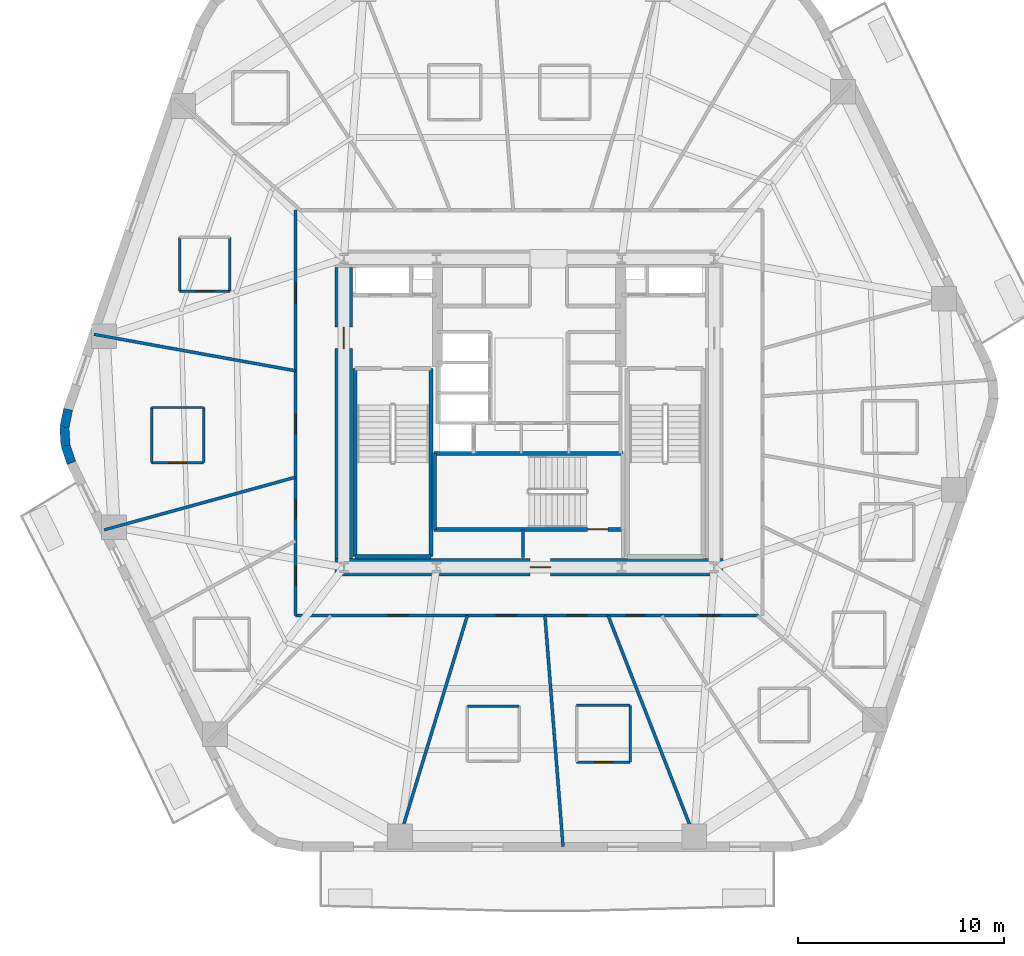
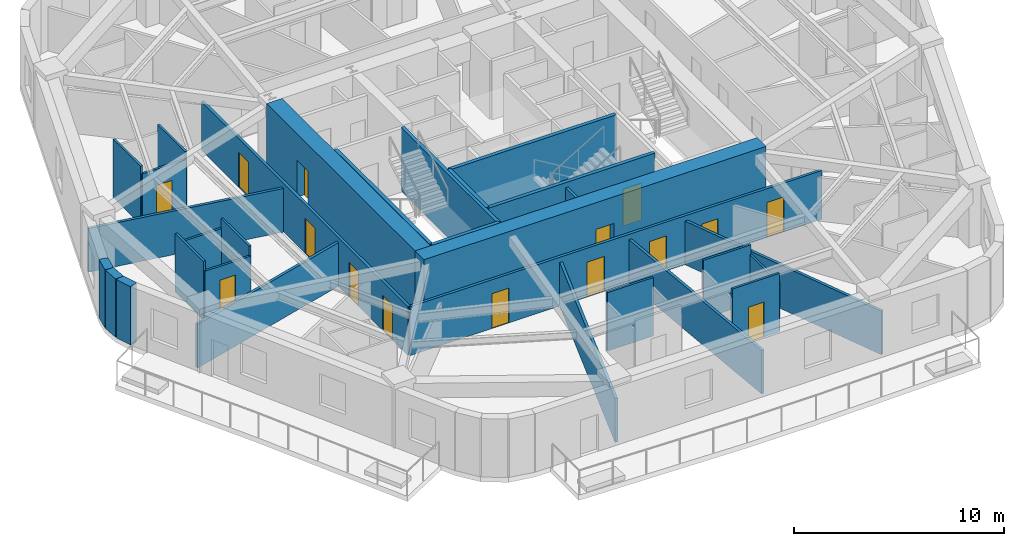
# One storey, part 3 of 10: 30 walls, 15 doors, 15 openings.
"""IFC4 building model written with IfcOpenShell, lengths in metres."""

from ifc_helpers import new_model, si_unit, direction, frame, frame_2d, origin, place, context, subcontext, project, spatial, rectangle, extrude, material, layer, layer_set, type_object, element, fill, save


model = new_model("IFC4")

# Units and contexts
model_context = context("Model", 3, precision=1e-05, world=origin(), true_north=direction((0.0, 1.0)))
body_context = subcontext(model_context, "Body", "Model", "MODEL_VIEW")
ifc_project = project(units=[si_unit("LENGTHUNIT", "METRE"), si_unit("AREAUNIT", "SQUARE_METRE"), si_unit("VOLUMEUNIT", "CUBIC_METRE"), si_unit("PLANEANGLEUNIT", "RADIAN"), si_unit("MASSUNIT", "GRAM", prefix="KILO")], contexts=[model_context])

# Site, building, storey
site_placement = place(None, origin())
site = spatial("IfcSite", under=ifc_project, at=site_placement, CompositionType="ELEMENT")
building_placement = place(site_placement, origin())
building = spatial("IfcBuilding", under=site, at=building_placement, Name="Kilnhurst Terrace Hotel", CompositionType="ELEMENT")
storey_placement = place(building_placement, frame((0.0, 0.0, 98.800048828125)))
storey = spatial("IfcBuildingStorey", under=building, at=storey_placement, Name="L23", CompositionType="ELEMENT", Elevation=98.800048828125)

# Walls
ifc_material_1 = material(Name="Precast concrete C40/50", Category="concrete")
ifc_layer_1 = layer(ifc_material_1, 0.449951171875, Name="Precast concrete C40/50")
ifc_layer_set_1 = layer_set([ifc_layer_1], Name="Precast concrete C40/50")
wall_type_1 = type_object("IfcWallType", Name="WL-BRK-450", PredefinedType="SOLIDWALL", material=ifc_layer_set_1)
wall_1_placement = place(storey_placement, frame((-22.39697265625, 0.17919921875, 0.0), z_axis=(0.0, 0.0, 1.0), x_axis=(-0.199313589404, -0.979935759669, 0.0)))
element("IfcWall", 1, at=wall_1_placement, inside=storey, type_object=wall_type_1, Name="L23 Rounded Corner Brick Wall C6.1", PredefinedType="SOLIDWALL", context=body_context, shape_type="SweptSolid", body=[
    extrude(rectangle(XDim=0.8955078125, YDim=0.449951171875, at=frame_2d((0.44775390625, 0.0))), origin(), (0.0, 0.0, 1.0), 3.39990234375),
])
wall_2_placement = place(storey_placement, frame((-22.575439453125, -0.6982421875, 0.0), z_axis=(0.0, 0.0, 1.0), x_axis=(0.060980441946, -0.998138961117, 0.0)))
element("IfcWall", 2, at=wall_2_placement, inside=storey, type_object=wall_type_1, Name="L23 Rounded Corner Brick Wall C6.2", PredefinedType="SOLIDWALL", context=body_context, shape_type="SweptSolid", body=[
    extrude(rectangle(XDim=0.880859375, YDim=0.449951171875, at=frame_2d((0.4404296875, 0.0))), origin(), (0.0, 0.0, 1.0), 3.39990234375),
])
wall_3_placement = place(storey_placement, frame((-22.521728515625, -1.577392578125, 0.0), z_axis=(0.0, 0.0, 1.0), x_axis=(0.317372694837, -0.948300887151, 0.0)))
element("IfcWall", 3, at=wall_3_placement, inside=storey, type_object=wall_type_1, Name="L23 Rounded Corner Brick Wall C6.3", PredefinedType="SOLIDWALL", context=body_context, shape_type="SweptSolid", body=[
    extrude(rectangle(XDim=0.8955078125, YDim=0.449951171875, at=frame_2d((0.44775390625, 0.0))), origin(), (0.0, 0.0, 1.0), 3.39990234375),
])

# Wall, openings, doors
ifc_material_2 = material(Name="Acoustic Double-Gypsum Corridor Partition Assembly")
ifc_layer_2 = layer(ifc_material_2, 0.14990234375, Name="Acoustic Double-Gypsum Corridor Partition Assembly")
ifc_layer_set_2 = layer_set([ifc_layer_2], Name="Acoustic Double-Gypsum Corridor Partition Assembly")
wall_type_2 = type_object("IfcWallType", Name="WL-COR-150", PredefinedType="PARTITIONING", material=ifc_layer_set_2)
wall_4_placement = place(storey_placement, frame((-11.35009765625, -9.85009765625, 0.0), z_axis=(0.0, 0.0, 1.0), x_axis=(0.0, 1.0, 0.0)))
wall_4 = element("IfcWall", 4, at=wall_4_placement, inside=storey, type_object=wall_type_2, Name="L23 Interior Wall WL-L23-COR-01", PredefinedType="PARTITIONING", context=body_context, shape_type="SweptSolid", body=[
    extrude(rectangle(XDim=19.7001953125, YDim=0.14990234375, at=frame_2d((9.85009765625, 0.0))), origin(), (0.0, 0.0, 1.0), 2.83984375),
])
opening_1_placement = place(wall_4_placement, frame((15.205078125, 0.0, 0.0)))
opening_1 = element("IfcOpeningElement", 5, at=opening_1_placement, cuts=wall_4, Name="Opening D-60B", PredefinedType="OPENING", context=body_context, shape_type="SweptSolid", body=[
    extrude(rectangle(XDim=0.949951171875, YDim=2.030029296875, at=frame_2d((0.47509765625, 1.01513671875))), frame((0.0, 0.0849609375, 0.0), z_axis=(0.0, -1.0, 0.0), x_axis=(1.0, 0.0, 0.0)), (0.0, 0.0, 1.0), 0.169921875),
])
opening_2_placement = place(wall_4_placement, frame((8.8359375, 0.0, 0.0)))
opening_2 = element("IfcOpeningElement", 6, at=opening_2_placement, cuts=wall_4, Name="Opening D-60B", PredefinedType="OPENING", context=body_context, shape_type="SweptSolid", body=[
    extrude(rectangle(XDim=0.949951171875, YDim=2.030029296875, at=frame_2d((0.47509765625, 1.01513671875))), frame((0.0, 0.0849609375, 0.0), z_axis=(0.0, -1.0, 0.0), x_axis=(1.0, 0.0, 0.0)), (0.0, 0.0, 1.0), 0.169921875),
])
opening_3_placement = place(wall_4_placement, frame((4.714111328125, 0.0, 0.0)))
opening_3 = element("IfcOpeningElement", 7, at=opening_3_placement, cuts=wall_4, Name="Opening D-60C", PredefinedType="OPENING", context=body_context, shape_type="SweptSolid", body=[
    extrude(rectangle(XDim=0.89990234375, YDim=2.030029296875, at=frame_2d((0.449951171875, 1.01513671875))), frame((0.0, 0.0849609375, 0.0), z_axis=(0.0, -1.0, 0.0), x_axis=(1.0, 0.0, 0.0)), (0.0, 0.0, 1.0), 0.169921875),
])
opening_4_placement = place(wall_4_placement, frame((1.4619140625, 0.0, 0.0)))
opening_4 = element("IfcOpeningElement", 8, at=opening_4_placement, cuts=wall_4, Name="Opening D-60B", PredefinedType="OPENING", context=body_context, shape_type="SweptSolid", body=[
    extrude(rectangle(XDim=0.949951171875, YDim=2.030029296875, at=frame_2d((0.47509765625, 1.01513671875))), frame((0.0, 0.0849609375, 0.0), z_axis=(0.0, -1.0, 0.0), x_axis=(1.0, 0.0, 0.0)), (0.0, 0.0, 1.0), 0.169921875),
])
ifc_material_3 = material(Name="Painted Solid-Core Service Fire Door")
door_type_1 = type_object("IfcDoorType", Name="DR-FD60-900", OperationType="NOTDEFINED", PredefinedType="DOOR", material=ifc_material_3)
door_1_placement = place(opening_3_placement, origin())
door_1 = element("IfcDoor", 9, at=door_1_placement, inside=storey, type_object=door_type_1, Name="L23 Wellness Consultation Room Door 11", OperationType="SINGLE_SWING_LEFT", OverallHeight=2.030029296875, OverallWidth=0.89990234375, PredefinedType="DOOR", context=body_context, shape_type="SweptSolid", body=[
    extrude(rectangle(XDim=0.89990234375, YDim=2.030029296875, at=frame_2d((0.449951171875, 1.01513671875))), frame((0.0, 0.02490234375, 0.0), z_axis=(0.0, -1.0, 0.0), x_axis=(1.0, 0.0, 0.0)), (0.0, 0.0, 1.0), 0.050048828125),
])
fill(opening_3, door_1)
ifc_material_4 = material(Name="Acoustic Walnut Veneer Solid-Core Fire Door")
door_type_2 = type_object("IfcDoorType", Name="DR-FD60-950", OperationType="NOTDEFINED", PredefinedType="DOOR", material=ifc_material_4)
door_2_placement = place(opening_1_placement, origin())
door_2 = element("IfcDoor", 10, at=door_2_placement, inside=storey, type_object=door_type_2, Name="L23 Executive Suite Entry Door 9", OperationType="SINGLE_SWING_LEFT", OverallHeight=2.030029296875, OverallWidth=0.949951171875, PredefinedType="DOOR", context=body_context, shape_type="SweptSolid", body=[
    extrude(rectangle(XDim=0.949951171875, YDim=2.030029296875, at=frame_2d((0.47509765625, 1.01513671875))), frame((0.0, 0.02490234375, 0.0), z_axis=(0.0, -1.0, 0.0), x_axis=(1.0, 0.0, 0.0)), (0.0, 0.0, 1.0), 0.050048828125),
])
fill(opening_1, door_2)
door_3_placement = place(opening_2_placement, origin())
door_3 = element("IfcDoor", 11, at=door_3_placement, inside=storey, type_object=door_type_2, Name="L23 Executive Suite Entry Door 10", OperationType="SINGLE_SWING_RIGHT", OverallHeight=2.030029296875, OverallWidth=0.949951171875, PredefinedType="DOOR", context=body_context, shape_type="SweptSolid", body=[
    extrude(rectangle(XDim=0.949951171875, YDim=2.030029296875, at=frame_2d((0.47509765625, 1.01513671875))), frame((0.0, 0.02490234375, 0.0), z_axis=(0.0, -1.0, 0.0), x_axis=(1.0, 0.0, 0.0)), (0.0, 0.0, 1.0), 0.050048828125),
])
fill(opening_2, door_3)
door_4_placement = place(opening_4_placement, origin())
door_4 = element("IfcDoor", 12, at=door_4_placement, inside=storey, type_object=door_type_2, Name="L23 Guest Room Entry Door 12", OperationType="SINGLE_SWING_RIGHT", OverallHeight=2.030029296875, OverallWidth=0.949951171875, PredefinedType="DOOR", context=body_context, shape_type="SweptSolid", body=[
    extrude(rectangle(XDim=0.949951171875, YDim=2.030029296875, at=frame_2d((0.47509765625, 1.01513671875))), frame((0.0, 0.02490234375, 0.0), z_axis=(0.0, -1.0, 0.0), x_axis=(1.0, 0.0, 0.0)), (0.0, 0.0, 1.0), 0.050048828125),
])
fill(opening_4, door_4)

wall_5_placement = place(storey_placement, frame((11.35009765625, -9.85009765625, 0.0), z_axis=(0.0, 0.0, 1.0), x_axis=(-1.0, 0.0, 0.0)))
wall_5 = element("IfcWall", 13, at=wall_5_placement, inside=storey, type_object=wall_type_2, Name="L23 Interior Wall WL-L23-COR-04", PredefinedType="PARTITIONING", context=body_context, shape_type="SweptSolid", body=[
    extrude(rectangle(XDim=22.7001953125, YDim=0.14990234375, at=frame_2d((11.35009765625, 0.0))), origin(), (0.0, 0.0, 1.0), 2.83984375),
])
opening_5_placement = place(wall_5_placement, frame((17.237060546875, 0.0, 0.0)))
opening_5 = element("IfcOpeningElement", 14, at=opening_5_placement, cuts=wall_5, Name="Opening D-60B", PredefinedType="OPENING", context=body_context, shape_type="SweptSolid", body=[
    extrude(rectangle(XDim=0.949951171875, YDim=2.030029296875, at=frame_2d((0.47509765625, 1.01513671875))), frame((0.0, 0.0849609375, 0.0), z_axis=(0.0, -1.0, 0.0), x_axis=(1.0, 0.0, 0.0)), (0.0, 0.0, 1.0), 0.169921875),
])
opening_6_placement = place(wall_5_placement, frame((11.993896484375, 0.0, 0.0)))
opening_6 = element("IfcOpeningElement", 15, at=opening_6_placement, cuts=wall_5, Name="Opening D-60B", PredefinedType="OPENING", context=body_context, shape_type="SweptSolid", body=[
    extrude(rectangle(XDim=0.949951171875, YDim=2.030029296875, at=frame_2d((0.47509765625, 1.01513671875))), frame((0.0, 0.0849609375, 0.0), z_axis=(0.0, -1.0, 0.0), x_axis=(1.0, 0.0, 0.0)), (0.0, 0.0, 1.0), 0.169921875),
])
opening_7_placement = place(wall_5_placement, frame((8.55908203125, 0.0, 0.0)))
opening_7 = element("IfcOpeningElement", 16, at=opening_7_placement, cuts=wall_5, Name="Opening D-60B", PredefinedType="OPENING", context=body_context, shape_type="SweptSolid", body=[
    extrude(rectangle(XDim=0.949951171875, YDim=2.030029296875, at=frame_2d((0.47509765625, 1.01513671875))), frame((0.0, 0.0849609375, 0.0), z_axis=(0.0, -1.0, 0.0), x_axis=(1.0, 0.0, 0.0)), (0.0, 0.0, 1.0), 0.169921875),
])
opening_8_placement = place(wall_5_placement, frame((5.72802734375, 0.0, 0.0)))
opening_8 = element("IfcOpeningElement", 17, at=opening_8_placement, cuts=wall_5, Name="Opening D-60C", PredefinedType="OPENING", context=body_context, shape_type="SweptSolid", body=[
    extrude(rectangle(XDim=0.89990234375, YDim=2.030029296875, at=frame_2d((0.449951171875, 1.01513671875))), frame((0.0, 0.0849609375, 0.0), z_axis=(0.0, -1.0, 0.0), x_axis=(1.0, 0.0, 0.0)), (0.0, 0.0, 1.0), 0.169921875),
])
opening_9_placement = place(wall_5_placement, frame((2.093017578125, 0.0, 0.0)))
opening_9 = element("IfcOpeningElement", 18, at=opening_9_placement, cuts=wall_5, Name="Opening D-60B", PredefinedType="OPENING", context=body_context, shape_type="SweptSolid", body=[
    extrude(rectangle(XDim=0.949951171875, YDim=2.030029296875, at=frame_2d((0.47509765625, 1.01513671875))), frame((0.0, 0.0849609375, 0.0), z_axis=(0.0, -1.0, 0.0), x_axis=(1.0, 0.0, 0.0)), (0.0, 0.0, 1.0), 0.169921875),
])
door_5_placement = place(opening_8_placement, origin())
door_5 = element("IfcDoor", 19, at=door_5_placement, inside=storey, type_object=door_type_1, Name="L23 Private Tasting Dining Room Door 16", OperationType="SINGLE_SWING_RIGHT", OverallHeight=2.030029296875, OverallWidth=0.89990234375, PredefinedType="DOOR", context=body_context, shape_type="SweptSolid", body=[
    extrude(rectangle(XDim=0.89990234375, YDim=2.030029296875, at=frame_2d((0.449951171875, 1.01513671875))), frame((0.0, 0.02490234375, 0.0), z_axis=(0.0, -1.0, 0.0), x_axis=(1.0, 0.0, 0.0)), (0.0, 0.0, 1.0), 0.050048828125),
])
fill(opening_8, door_5)
door_6_placement = place(opening_5_placement, origin())
door_6 = element("IfcDoor", 20, at=door_6_placement, inside=storey, type_object=door_type_2, Name="L23 Wellness Spa Room Door", OperationType="SINGLE_SWING_LEFT", OverallHeight=2.030029296875, OverallWidth=0.949951171875, PredefinedType="DOOR", context=body_context, shape_type="SweptSolid", body=[
    extrude(rectangle(XDim=0.949951171875, YDim=2.030029296875, at=frame_2d((0.47509765625, 1.01513671875))), frame((0.0, 0.02490234375, 0.0), z_axis=(0.0, -1.0, 0.0), x_axis=(1.0, 0.0, 0.0)), (0.0, 0.0, 1.0), 0.050048828125),
])
fill(opening_5, door_6)
door_7_placement = place(opening_6_placement, origin())
door_7 = element("IfcDoor", 21, at=door_7_placement, inside=storey, type_object=door_type_2, Name="L23 Guest Room Entry Door 14", OperationType="SINGLE_SWING_RIGHT", OverallHeight=2.030029296875, OverallWidth=0.949951171875, PredefinedType="DOOR", context=body_context, shape_type="SweptSolid", body=[
    extrude(rectangle(XDim=0.949951171875, YDim=2.030029296875, at=frame_2d((0.47509765625, 1.01513671875))), frame((0.0, 0.02490234375, 0.0), z_axis=(0.0, -1.0, 0.0), x_axis=(1.0, 0.0, 0.0)), (0.0, 0.0, 1.0), 0.050048828125),
])
fill(opening_6, door_7)
door_8_placement = place(opening_7_placement, origin())
door_8 = element("IfcDoor", 22, at=door_8_placement, inside=storey, type_object=door_type_2, Name="L23 Guest Room Entry Door 15", OperationType="SINGLE_SWING_LEFT", OverallHeight=2.030029296875, OverallWidth=0.949951171875, PredefinedType="DOOR", context=body_context, shape_type="SweptSolid", body=[
    extrude(rectangle(XDim=0.949951171875, YDim=2.030029296875, at=frame_2d((0.47509765625, 1.01513671875))), frame((0.0, 0.02490234375, 0.0), z_axis=(0.0, -1.0, 0.0), x_axis=(1.0, 0.0, 0.0)), (0.0, 0.0, 1.0), 0.050048828125),
])
fill(opening_7, door_8)
door_9_placement = place(opening_9_placement, origin())
door_9 = element("IfcDoor", 23, at=door_9_placement, inside=storey, type_object=door_type_2, Name="L23 Guest Room Entry Door 17", OperationType="SINGLE_SWING_LEFT", OverallHeight=2.030029296875, OverallWidth=0.949951171875, PredefinedType="DOOR", context=body_context, shape_type="SweptSolid", body=[
    extrude(rectangle(XDim=0.949951171875, YDim=2.030029296875, at=frame_2d((0.47509765625, 1.01513671875))), frame((0.0, 0.02490234375, 0.0), z_axis=(0.0, -1.0, 0.0), x_axis=(1.0, 0.0, 0.0)), (0.0, 0.0, 1.0), 0.050048828125),
])
fill(opening_9, door_9)

# Wall, opening, door
ifc_material_5 = material(Name="Concrete C80/95", Category="concrete")
ifc_layer_3 = layer(ifc_material_5, 0.85009765625, Name="Concrete C80/95")
ifc_layer_set_3 = layer_set([ifc_layer_3], Name="Concrete C80/95")
wall_type_3 = type_object("IfcWallType", Name="WL-CORE-850", PredefinedType="SHEAR", material=ifc_layer_set_3)
wall_6_placement = place(storey_placement, frame((-9.425048828125, -7.5, 0.0), z_axis=(0.0, 0.0, 1.0), x_axis=(1.0, 0.0, 0.0)))
wall_6 = element("IfcWall", 24, at=wall_6_placement, inside=storey, type_object=wall_type_3, Name="L23 Core South Shear Wall", PredefinedType="SHEAR", context=body_context, shape_type="SweptSolid", body=[
    extrude(rectangle(XDim=18.85009765625, YDim=0.85009765625, at=frame_2d((9.425048828125, 0.0))), origin(), (0.0, 0.0, 1.0), 3.699951171875),
])
opening_10_placement = place(wall_6_placement, frame((9.47509765625, 0.0, 0.0)))
opening_10 = element("IfcOpeningElement", 25, at=opening_10_placement, cuts=wall_6, Name="Opening D-90B", PredefinedType="OPENING", context=body_context, shape_type="SweptSolid", body=[
    extrude(rectangle(XDim=1.0, YDim=2.14990234375, at=frame_2d((0.5, 1.074951171875))), frame((0.0, 0.43505859375, 0.0), z_axis=(0.0, -1.0, 0.0), x_axis=(1.0, 0.0, 0.0)), (0.0, 0.0, 1.0), 0.8701171875),
])
ifc_material_6 = material(Name="Painted Hollow Metal Steel ASTM A36 Fire Door", Category="steel")
door_type_3 = type_object("IfcDoorType", Name="DR-FD90-1000", OperationType="NOTDEFINED", PredefinedType="DOOR", material=ifc_material_6)
door_10_placement = place(opening_10_placement, origin())
door_10 = element("IfcDoor", 26, at=door_10_placement, inside=storey, type_object=door_type_3, Name="L23 Stair ST-3 Corridor Door", OperationType="SINGLE_SWING_RIGHT", OverallHeight=2.14990234375, OverallWidth=1.0, PredefinedType="DOOR", context=body_context, shape_type="SweptSolid", body=[
    extrude(rectangle(XDim=1.0, YDim=2.14990234375, at=frame_2d((0.5, 1.074951171875))), frame((0.0, 0.02490234375, 0.0), z_axis=(0.0, -1.0, 0.0), x_axis=(1.0, 0.0, 0.0)), (0.0, 0.0, 1.0), 0.050048828125),
])
fill(opening_10, door_10)

wall_7_placement = place(storey_placement, frame((-9.0, -7.074951171875, 0.0), z_axis=(0.0, 0.0, 1.0), x_axis=(0.0, 1.0, 0.0)))
wall_7 = element("IfcWall", 27, at=wall_7_placement, inside=storey, type_object=wall_type_3, Name="L23 Core West Shear Wall", PredefinedType="SHEAR", context=body_context, shape_type="SweptSolid", body=[
    extrude(rectangle(XDim=14.14990234375, YDim=0.85009765625, at=frame_2d((7.074951171875, 0.0))), origin(), (0.0, 0.0, 1.0), 3.699951171875),
])
opening_11_placement = place(wall_7_placement, frame((10.199951171875, 0.0, 0.0)))
opening_11 = element("IfcOpeningElement", 28, at=opening_11_placement, cuts=wall_7, Name="Opening D-90A", PredefinedType="OPENING", context=body_context, shape_type="SweptSolid", body=[
    extrude(rectangle(XDim=1.050048828125, YDim=2.14990234375, at=frame_2d((0.52490234375, 1.074951171875))), frame((0.0, 0.43505859375, 0.0), z_axis=(0.0, -1.0, 0.0), x_axis=(1.0, 0.0, 0.0)), (0.0, 0.0, 1.0), 0.8701171875),
])
door_type_4 = type_object("IfcDoorType", Name="DR-FD90-1050", OperationType="NOTDEFINED", PredefinedType="DOOR", material=ifc_material_6)
door_11_placement = place(opening_11_placement, origin())
door_11 = element("IfcDoor", 29, at=door_11_placement, inside=storey, type_object=door_type_4, Name="L23 West Firefighting Lobby Door", OperationType="SINGLE_SWING_RIGHT", OverallHeight=2.14990234375, OverallWidth=1.050048828125, PredefinedType="DOOR", context=body_context, shape_type="SweptSolid", body=[
    extrude(rectangle(XDim=1.050048828125, YDim=2.14990234375, at=frame_2d((0.52490234375, 1.074951171875))), frame((0.0, 0.02490234375, 0.0), z_axis=(0.0, -1.0, 0.0), x_axis=(1.0, 0.0, 0.0)), (0.0, 0.0, 1.0), 0.050048828125),
])
fill(opening_11, door_11)

# Walls
ifc_material_7 = material(Name="STC-58 Acoustic Twin-Frame Guestroom Demising Partition")
ifc_layer_4 = layer(ifc_material_7, 0.14990234375, Name="STC-58 Acoustic Twin-Frame Guestroom Demising Partition")
ifc_layer_set_4 = layer_set([ifc_layer_4], Name="STC-58 Acoustic Twin-Frame Guestroom Demising Partition")
wall_type_4 = type_object("IfcWallType", Name="WL-DEM-150", PredefinedType="PARTITIONING", material=ifc_layer_set_4)
wall_8_placement = place(storey_placement, frame((-11.35009765625, 2.05078125, 0.0), z_axis=(0.0, 0.0, 1.0), x_axis=(-0.984068313063, 0.177790762484, 0.0)))
element("IfcWall", 30, at=wall_8_placement, inside=storey, type_object=wall_type_4, Name="L23 Interior Wall WL-L23-DEM-COL06-10-1", PredefinedType="PARTITIONING", context=body_context, shape_type="SweptSolid", body=[
    extrude(rectangle(XDim=9.951416015625, YDim=0.14990234375, at=frame_2d((4.9755859375, 0.0))), origin(), (0.0, 0.0, 1.0), 2.5400390625),
])
wall_9_placement = place(storey_placement, frame((-11.35009765625, -3.123291015625, 0.0), z_axis=(0.0, 0.0, 1.0), x_axis=(-0.964151983214, -0.265350623261, 0.0)))
element("IfcWall", 31, at=wall_9_placement, inside=storey, type_object=wall_type_4, Name="L23 Interior Wall WL-L23-DEM-COL07-11-1", PredefinedType="PARTITIONING", context=body_context, shape_type="SweptSolid", body=[
    extrude(rectangle(XDim=9.64501953125, YDim=0.14990234375, at=frame_2d((4.822509765625, 0.0))), origin(), (0.0, 0.0, 1.0), 2.5400390625),
])
wall_10_placement = place(storey_placement, frame((-3.0, -9.85009765625, 0.0), z_axis=(0.0, 0.0, 1.0), x_axis=(-0.291352035382, -0.95661590593, 0.0)))
element("IfcWall", 32, at=wall_10_placement, inside=storey, type_object=wall_type_4, Name="L23 Interior Wall WL-L23-DEM-COL09-14-1", PredefinedType="PARTITIONING", context=body_context, shape_type="SweptSolid", body=[
    extrude(rectangle(XDim=11.73388671875, YDim=0.14990234375, at=frame_2d((5.866943359375, 0.0))), origin(), (0.0, 0.0, 1.0), 2.5400390625),
])
wall_11_placement = place(storey_placement, frame((0.771728515625, -9.85009765625, 0.0), z_axis=(0.0, 0.0, 1.0), x_axis=(0.078125747145, -0.996943512759, 0.0)))
element("IfcWall", 33, at=wall_11_placement, inside=storey, type_object=wall_type_4, Name="L23 Interior Wall WL-L23-DEM-MID09-15-1", PredefinedType="PARTITIONING", context=body_context, shape_type="SweptSolid", body=[
    extrude(rectangle(XDim=11.25927734375, YDim=0.14990234375, at=frame_2d((5.629638671875, 0.0))), origin(), (0.0, 0.0, 1.0), 2.5400390625),
])
wall_12_placement = place(storey_placement, frame((3.84228515625, -9.85009765625, 0.0), z_axis=(0.0, 0.0, 1.0), x_axis=(0.363432685593, -0.931620460833, 0.0)))
element("IfcWall", 34, at=wall_12_placement, inside=storey, type_object=wall_type_4, Name="L23 Interior Wall WL-L23-DEM-COL10-16-1", PredefinedType="PARTITIONING", context=body_context, shape_type="SweptSolid", body=[
    extrude(rectangle(XDim=12.048828125, YDim=0.14990234375, at=frame_2d((6.0244140625, 0.0))), origin(), (0.0, 0.0, 1.0), 2.5400390625),
])

# Wall, opening, door
ifc_material_8 = material(Name="120 mm Moisture-Resistant Tile-Backed Bathroom Partition")
ifc_layer_5 = layer(ifc_material_8, 0.1201171875, Name="120 mm Moisture-Resistant Tile-Backed Bathroom Partition")
ifc_layer_set_5 = layer_set([ifc_layer_5], Name="120 mm Moisture-Resistant Tile-Backed Bathroom Partition")
wall_type_5 = type_object("IfcWallType", Name="WL-PART-120", PredefinedType="PARTITIONING", material=ifc_layer_set_5)
wall_13_placement = place(storey_placement, frame((-16.97412109375, 5.925048828125, 0.0), z_axis=(0.0, 0.0, 1.0), x_axis=(1.0, 0.0, 0.0)))
wall_13 = element("IfcWall", 35, at=wall_13_placement, inside=storey, type_object=wall_type_5, Name="L23 Interior Wall WL-L23-BTH-09-1", PredefinedType="PARTITIONING", context=body_context, shape_type="SweptSolid", body=[
    extrude(rectangle(XDim=2.440185546875, YDim=0.1201171875, at=frame_2d((1.22021484375, 0.0))), origin(), (0.0, 0.0, 1.0), 2.97216796875),
])
opening_12_placement = place(wall_13_placement, frame((0.794921875, 0.0, 0.0)))
opening_12 = element("IfcOpeningElement", 36, at=opening_12_placement, cuts=wall_13, Name="Opening D-08A", PredefinedType="OPENING", context=body_context, shape_type="SweptSolid", body=[
    extrude(rectangle(XDim=0.85009765625, YDim=2.030029296875, at=frame_2d((0.425048828125, 1.01513671875))), frame((0.0, 0.070068359375, 0.0), z_axis=(0.0, -1.0, 0.0), x_axis=(1.0, 0.0, 0.0)), (0.0, 0.0, 1.0), 0.14013671875),
])
ifc_material_9 = material(Name="Moisture-Resistant Lacquered En-suite Bathroom Door")
door_type_5 = type_object("IfcDoorType", Name="DR-INT-850", OperationType="NOTDEFINED", PredefinedType="DOOR", material=ifc_material_9)
door_12_placement = place(opening_12_placement, origin())
door_12 = element("IfcDoor", 37, at=door_12_placement, inside=storey, type_object=door_type_5, Name="L23 En-suite Bathroom Door 9", OperationType="SINGLE_SWING_RIGHT", OverallHeight=2.030029296875, OverallWidth=0.85009765625, PredefinedType="DOOR", context=body_context, shape_type="SweptSolid", body=[
    extrude(rectangle(XDim=0.85009765625, YDim=2.030029296875, at=frame_2d((0.425048828125, 1.01513671875))), frame((0.0, 0.02490234375, 0.0), z_axis=(0.0, -1.0, 0.0), x_axis=(1.0, 0.0, 0.0)), (0.0, 0.0, 1.0), 0.050048828125),
])
fill(opening_12, door_12)

# Walls
for number, where, z_axis, x_axis, name in (
    (38, (-14.533935546875, 5.925048828125, 0.0), (0.0, 0.0, 1.0), (0.0, 1.0, 0.0), "L23 Interior Wall WL-L23-BTH-09-2"),
    (39, (-16.97412109375, 8.534912109375, 0.0), (0.0, 0.0, 1.0), (0.0, -1.0, 0.0), "L23 Interior Wall WL-L23-BTH-09-4"),
):
    element("IfcWall", number, at=place(storey_placement, frame(where, z_axis=z_axis, x_axis=x_axis)), inside=storey, type_object=wall_type_5, Name=name, PredefinedType="PARTITIONING", context=body_context, shape_type="SweptSolid", body=[
        extrude(rectangle(XDim=2.60986328125, YDim=0.1201171875, at=frame_2d((1.304931640625, 0.0))), origin(), (0.0, 0.0, 1.0), 3.39990234375),
    ])

# Wall, opening, door
wall_14_placement = place(storey_placement, frame((-18.3349609375, -2.4140625, 0.0), z_axis=(0.0, 0.0, 1.0), x_axis=(1.0, 0.0, 0.0)))
wall_14 = element("IfcWall", 40, at=wall_14_placement, inside=storey, type_object=wall_type_5, Name="L23 Interior Wall WL-L23-BTH-10-1", PredefinedType="PARTITIONING", context=body_context, shape_type="SweptSolid", body=[
    extrude(rectangle(XDim=2.52001953125, YDim=0.1201171875, at=frame_2d((1.260009765625, 0.0))), origin(), (0.0, 0.0, 1.0), 2.84033203125),
])
opening_13_placement = place(wall_14_placement, frame((0.8349609375, 0.0, 0.0)))
opening_13 = element("IfcOpeningElement", 41, at=opening_13_placement, cuts=wall_14, Name="Opening D-08A", PredefinedType="OPENING", context=body_context, shape_type="SweptSolid", body=[
    extrude(rectangle(XDim=0.85009765625, YDim=2.030029296875, at=frame_2d((0.425048828125, 1.01513671875))), frame((0.0, 0.070068359375, 0.0), z_axis=(0.0, -1.0, 0.0), x_axis=(1.0, 0.0, 0.0)), (0.0, 0.0, 1.0), 0.14013671875),
])
door_13_placement = place(opening_13_placement, origin())
door_13 = element("IfcDoor", 42, at=door_13_placement, inside=storey, type_object=door_type_5, Name="L23 En-suite Bathroom Door 10", OperationType="SINGLE_SWING_LEFT", OverallHeight=2.030029296875, OverallWidth=0.85009765625, PredefinedType="DOOR", context=body_context, shape_type="SweptSolid", body=[
    extrude(rectangle(XDim=0.85009765625, YDim=2.030029296875, at=frame_2d((0.425048828125, 1.01513671875))), frame((0.0, 0.02490234375, 0.0), z_axis=(0.0, -1.0, 0.0), x_axis=(1.0, 0.0, 0.0)), (0.0, 0.0, 1.0), 0.050048828125),
])
fill(opening_13, door_13)

# Walls
wall_15_placement = place(storey_placement, frame((-15.81494140625, -2.4140625, 0.0), z_axis=(0.0, 0.0, 1.0), x_axis=(0.0, 1.0, 0.0)))
element("IfcWall", 43, at=wall_15_placement, inside=storey, type_object=wall_type_5, Name="L23 Interior Wall WL-L23-BTH-10-2", PredefinedType="PARTITIONING", context=body_context, shape_type="SweptSolid", body=[
    extrude(rectangle(XDim=2.68017578125, YDim=0.1201171875, at=frame_2d((1.340087890625, 0.0))), origin(), (0.0, 0.0, 1.0), 3.39990234375),
])
wall_16_placement = place(storey_placement, frame((-15.81494140625, 0.26611328125, 0.0), z_axis=(0.0, 0.0, 1.0), x_axis=(-1.0, 0.0, 0.0)))
element("IfcWall", 44, at=wall_16_placement, inside=storey, type_object=wall_type_5, Name="L23 Interior Wall WL-L23-BTH-10-3", PredefinedType="PARTITIONING", context=body_context, shape_type="SweptSolid", body=[
    extrude(rectangle(XDim=2.52001953125, YDim=0.1201171875, at=frame_2d((1.260009765625, 0.0))), origin(), (0.0, 0.0, 1.0), 2.84033203125),
])
wall_17_placement = place(storey_placement, frame((-18.3349609375, 0.26611328125, 0.0), z_axis=(0.0, 0.0, 1.0), x_axis=(0.0, -1.0, 0.0)))
element("IfcWall", 45, at=wall_17_placement, inside=storey, type_object=wall_type_5, Name="L23 Interior Wall WL-L23-BTH-10-4", PredefinedType="PARTITIONING", context=body_context, shape_type="SweptSolid", body=[
    extrude(rectangle(XDim=2.68017578125, YDim=0.1201171875, at=frame_2d((1.340087890625, 0.0))), origin(), (0.0, 0.0, 1.0), 3.39990234375),
])
wall_18_placement = place(storey_placement, frame((-0.48095703125, -14.2470703125, 0.0), z_axis=(0.0, 0.0, 1.0), x_axis=(-1.0, 0.0, 0.0)))
element("IfcWall", 46, at=wall_18_placement, inside=storey, type_object=wall_type_5, Name="L23 Interior Wall WL-L23-BTH-14-3", PredefinedType="PARTITIONING", context=body_context, shape_type="SweptSolid", body=[
    extrude(rectangle(XDim=2.52001953125, YDim=0.1201171875, at=frame_2d((1.260009765625, 0.0))), origin(), (0.0, 0.0, 1.0), 3.39990234375),
])

# Wall, opening, door
wall_19_placement = place(storey_placement, frame((2.31396484375, -16.9619140625, 0.0), z_axis=(0.0, 0.0, 1.0), x_axis=(1.0, 0.0, 0.0)))
wall_19 = element("IfcWall", 47, at=wall_19_placement, inside=storey, type_object=wall_type_5, Name="L23 Interior Wall WL-L23-BTH-15-1", PredefinedType="PARTITIONING", context=body_context, shape_type="SweptSolid", body=[
    extrude(rectangle(XDim=2.60009765625, YDim=0.1201171875, at=frame_2d((1.300048828125, 0.0))), origin(), (0.0, 0.0, 1.0), 3.39990234375),
])
opening_14_placement = place(wall_19_placement, frame((0.875, 0.0, 0.0)))
opening_14 = element("IfcOpeningElement", 48, at=opening_14_placement, cuts=wall_19, Name="Opening D-08A", PredefinedType="OPENING", context=body_context, shape_type="SweptSolid", body=[
    extrude(rectangle(XDim=0.85009765625, YDim=2.030029296875, at=frame_2d((0.425048828125, 1.01513671875))), frame((0.0, 0.070068359375, 0.0), z_axis=(0.0, -1.0, 0.0), x_axis=(1.0, 0.0, 0.0)), (0.0, 0.0, 1.0), 0.14013671875),
])
door_14_placement = place(opening_14_placement, origin())
door_14 = element("IfcDoor", 49, at=door_14_placement, inside=storey, type_object=door_type_5, Name="L23 En-suite Bathroom Door 15", OperationType="SINGLE_SWING_RIGHT", OverallHeight=2.030029296875, OverallWidth=0.85009765625, PredefinedType="DOOR", context=body_context, shape_type="SweptSolid", body=[
    extrude(rectangle(XDim=0.85009765625, YDim=2.030029296875, at=frame_2d((0.425048828125, 1.01513671875))), frame((0.0, 0.02490234375, 0.0), z_axis=(0.0, -1.0, 0.0), x_axis=(1.0, 0.0, 0.0)), (0.0, 0.0, 1.0), 0.050048828125),
])
fill(opening_14, door_14)

# Walls
wall_20_placement = place(storey_placement, frame((4.9140625, -16.9619140625, 0.0), z_axis=(0.0, 0.0, 1.0), x_axis=(0.0, 1.0, 0.0)))
element("IfcWall", 50, at=wall_20_placement, inside=storey, type_object=wall_type_5, Name="L23 Interior Wall WL-L23-BTH-15-2", PredefinedType="PARTITIONING", context=body_context, shape_type="SweptSolid", body=[
    extrude(rectangle(XDim=2.75, YDim=0.1201171875, at=frame_2d((1.375, 0.0))), origin(), (0.0, 0.0, 1.0), 2.84033203125),
])
wall_21_placement = place(storey_placement, frame((4.9140625, -14.2119140625, 0.0), z_axis=(0.0, 0.0, 1.0), x_axis=(-1.0, 0.0, 0.0)))
element("IfcWall", 51, at=wall_21_placement, inside=storey, type_object=wall_type_5, Name="L23 Interior Wall WL-L23-BTH-15-3", PredefinedType="PARTITIONING", context=body_context, shape_type="SweptSolid", body=[
    extrude(rectangle(XDim=2.60009765625, YDim=0.1201171875, at=frame_2d((1.300048828125, 0.0))), origin(), (0.0, 0.0, 1.0), 3.39990234375),
])
ifc_material_10 = material(Name="Fire-Rated Gypsum Shaftliner Assembly")
ifc_layer_6 = layer(ifc_material_10, 0.14990234375, Name="Fire-Rated Gypsum Shaftliner Assembly")
ifc_layer_set_6 = layer_set([ifc_layer_6], Name="Fire-Rated Gypsum Shaftliner Assembly")
wall_type_6 = type_object("IfcWallType", Name="WL-SHAFT-150", PredefinedType="PARTITIONING", material=ifc_layer_set_6)
wall_22_placement = place(storey_placement, frame((-0.300048828125, -7.02001953125, 0.0), z_axis=(0.0, 0.0, 1.0), x_axis=(0.0, 1.0, 0.0)))
element("IfcWall", 52, at=wall_22_placement, inside=storey, type_object=wall_type_6, Name="L23 Interior Wall WL-L23-ST3-PSGW", PredefinedType="PARTITIONING", context=body_context, shape_type="SweptSolid", body=[
    extrude(rectangle(XDim=1.362060546875, YDim=0.14990234375, at=frame_2d((0.68115234375, 0.0))), origin(), (0.0, 0.0, 1.0), 3.39990234375),
])
ifc_material_11 = material(Name="Concrete C50/60", Category="concrete")
ifc_layer_7 = layer(ifc_material_11, 0.199951171875, Name="Concrete C50/60")
ifc_layer_set_7 = layer_set([ifc_layer_7], Name="Concrete C50/60")
wall_type_7 = type_object("IfcWallType", Name="WL-STAIR-RC-200", PredefinedType="SHEAR", material=ifc_layer_set_7)
for number, where, z_axis, x_axis, name in (
    (53, (-8.4580078125, -6.985107421875, 0.0), (0.0, 0.0, 1.0), (0.0, 1.0, 0.0), "L23 Structural Stair Shaft Wall WL-L23-ST1-W"),
    (54, (-4.77197265625, -6.985107421875, 0.0), (0.0, 0.0, 1.0), (0.0, 1.0, 0.0), "L23 Structural Stair Shaft Wall WL-L23-ST1-E"),
):
    element("IfcWall", number, at=place(storey_placement, frame(where, z_axis=z_axis, x_axis=x_axis)), inside=storey, type_object=wall_type_7, Name=name, PredefinedType="SHEAR", context=body_context, shape_type="SweptSolid", body=[
        extrude(rectangle(XDim=9.14306640625, YDim=0.199951171875, at=frame_2d((4.571533203125, 0.0))), origin(), (0.0, 0.0, 1.0), 3.699951171875),
    ])
for number, where, z_axis, x_axis, name in (
    (55, (-8.4580078125, -6.985107421875, 0.0), (0.0, 0.0, 1.0), (1.0, 0.0, 0.0), "L23 Structural Stair Shaft Wall WL-L23-ST1-S"),
    (56, (-4.60791015625, -5.657958984375, 0.0), (0.0, 0.0, 1.0), (0.0, 1.0, 0.0), "L23 Structural Stair Shaft Wall WL-L23-ST3-W"),
):
    element("IfcWall", number, at=place(storey_placement, frame(where, z_axis=z_axis, x_axis=x_axis)), inside=storey, type_object=wall_type_7, Name=name, PredefinedType="SHEAR", context=body_context, shape_type="SweptSolid", body=[
        extrude(rectangle(XDim=3.68603515625, YDim=0.199951171875, at=frame_2d((1.843017578125, 0.0))), origin(), (0.0, 0.0, 1.0), 3.699951171875),
    ])

# Wall, opening, door
wall_23_placement = place(storey_placement, frame((-4.60791015625, -5.657958984375, 0.0), z_axis=(0.0, 0.0, 1.0), x_axis=(1.0, 0.0, 0.0)))
wall_23 = element("IfcWall", 57, at=wall_23_placement, inside=storey, type_object=wall_type_7, Name="L23 Structural Stair Shaft Wall WL-L23-ST3-S", PredefinedType="SHEAR", context=body_context, shape_type="SweptSolid", body=[
    extrude(rectangle(XDim=9.166015625, YDim=0.199951171875, at=frame_2d((4.5830078125, 0.0))), origin(), (0.0, 0.0, 1.0), 3.699951171875),
])
opening_15_placement = place(wall_23_placement, frame((7.449951171875, 0.0, 0.0)))
opening_15 = element("IfcOpeningElement", 58, at=opening_15_placement, cuts=wall_23, Name="Opening D-90B", PredefinedType="OPENING", context=body_context, shape_type="SweptSolid", body=[
    extrude(rectangle(XDim=1.0, YDim=2.14990234375, at=frame_2d((0.5, 1.074951171875))), frame((0.0, 0.10986328125, 0.0), z_axis=(0.0, -1.0, 0.0), x_axis=(1.0, 0.0, 0.0)), (0.0, 0.0, 1.0), 0.219970703125),
])
door_15_placement = place(opening_15_placement, origin())
door_15 = element("IfcDoor", 59, at=door_15_placement, inside=storey, type_object=door_type_3, Name="L23 Stair ST-3 Shaft Door", OperationType="SINGLE_SWING_LEFT", OverallHeight=2.14990234375, OverallWidth=1.0, PredefinedType="DOOR", context=body_context, shape_type="SweptSolid", body=[
    extrude(rectangle(XDim=1.0, YDim=2.14990234375, at=frame_2d((0.5, 1.074951171875))), frame((0.0, 0.02490234375, 0.0), z_axis=(0.0, -1.0, 0.0), x_axis=(1.0, 0.0, 0.0)), (0.0, 0.0, 1.0), 0.050048828125),
])
fill(opening_15, door_15)

# Wall
wall_24_placement = place(storey_placement, frame((-4.60791015625, -1.971923828125, 0.0), z_axis=(0.0, 0.0, 1.0), x_axis=(1.0, 0.0, 0.0)))
element("IfcWall", 60, at=wall_24_placement, inside=storey, type_object=wall_type_7, Name="L23 Structural Stair Shaft Wall WL-L23-ST3-N", PredefinedType="SHEAR", context=body_context, shape_type="SweptSolid", body=[
    extrude(rectangle(XDim=9.166015625, YDim=0.199951171875, at=frame_2d((4.5830078125, 0.0))), origin(), (0.0, 0.0, 1.0), 3.699951171875),
])

save(model, "model.ifc")
